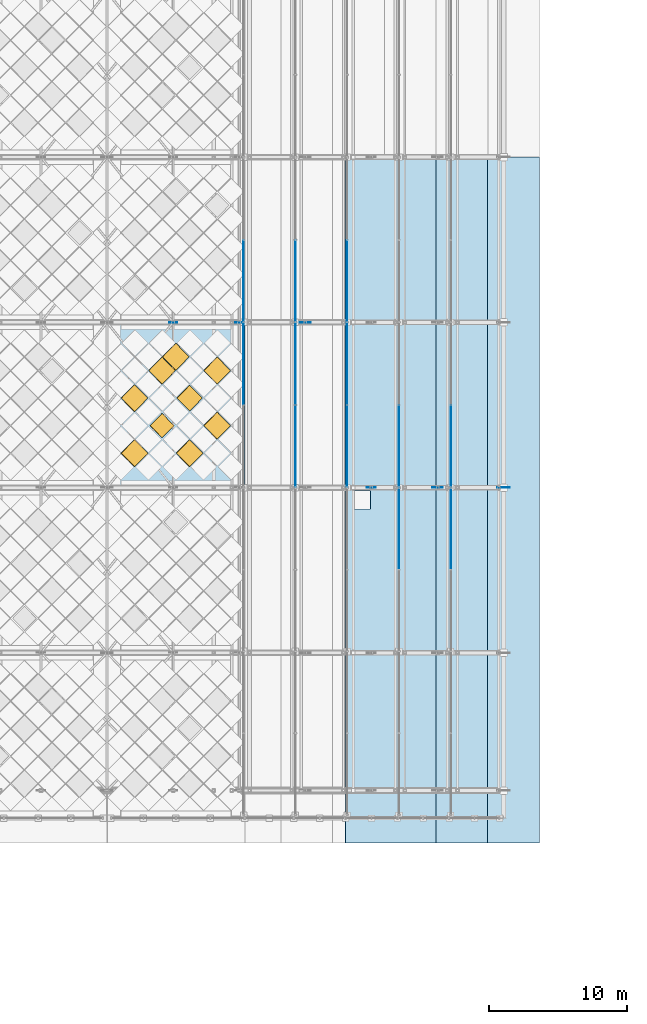
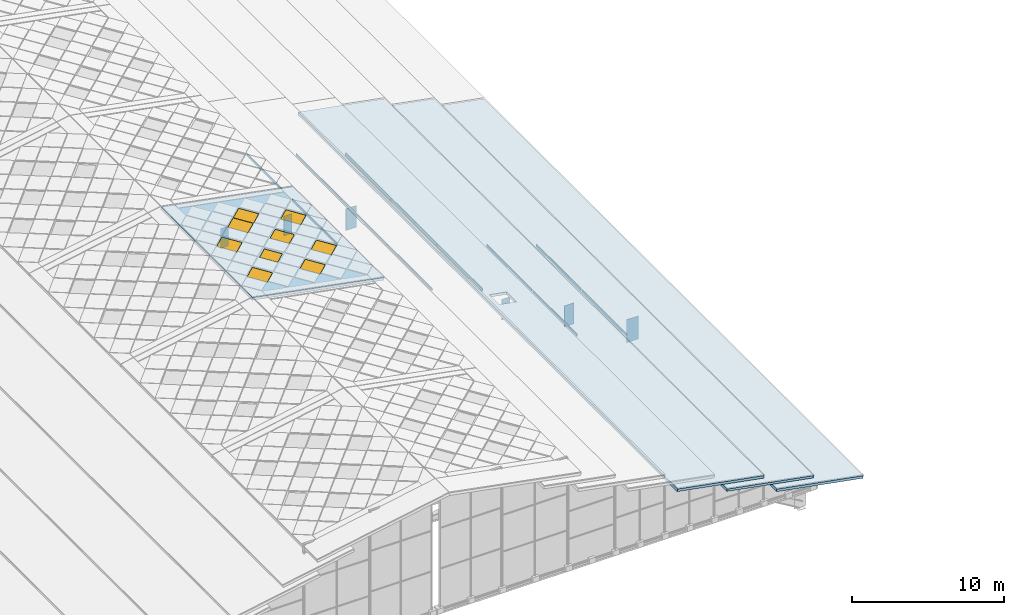
# One storey, part 91 of 117: 18 plates, 9 windows, 4 slabs, 9 openings, 7 elements without a shape of their own.
"""IFC4 building model written with IfcOpenShell, lengths in metres."""

from ifc_helpers import new_model, si_unit, direction, frame, origin, origin_2d, place, context, subcontext, project, spatial, polyline, rectangle, outline, extrude, material, layer, layer_set, type_object, element, fill, aggregate, save


model = new_model("IFC4")

# Units and contexts
model_context = context("Model", 3, precision=1e-05, world=origin(), true_north=direction((0.0, 1.0)))
body_context = subcontext(model_context, "Body", "Model", "MODEL_VIEW")
ifc_project = project(units=[si_unit("LENGTHUNIT", "METRE"), si_unit("AREAUNIT", "SQUARE_METRE"), si_unit("VOLUMEUNIT", "CUBIC_METRE"), si_unit("PLANEANGLEUNIT", "RADIAN"), si_unit("MASSUNIT", "GRAM", prefix="KILO")], contexts=[model_context])

# Site, building, storey
site_placement = place(None, origin())
site = spatial("IfcSite", under=ifc_project, at=site_placement, CompositionType="ELEMENT")
building_placement = place(site_placement, origin())
building = spatial("IfcBuilding", under=site, at=building_placement, Name="Merenkruunu Market Hall", CompositionType="ELEMENT")
storey_placement = place(building_placement, frame((0.0, 0.0, 22.800048828125)))
storey = spatial("IfcBuildingStorey", under=building, at=storey_placement, Name="RF", CompositionType="ELEMENT", Elevation=22.800048828125)

# Curtain wall, plate
ifc_material_1 = material(Name="Powder-coated aluminium", Category="aluminium")
curtain_wall_type = type_object("IfcCurtainWallType", Name="Clerestory Curtain Band CL05", PredefinedType="USERDEFINED", material=ifc_material_1)
curtain_wall_1_placement = place(storey_placement, origin())
curtain_wall_1 = element("IfcCurtainWall", 1, at=curtain_wall_1_placement, inside=storey, type_object=curtain_wall_type, Name="CW-RF-CWM04-082", ObjectType="CLERESTORY_BAND", PredefinedType="USERDEFINED")
ifc_material_2 = material(Name="Triple low-E insulated glass", Category="glass")
ifc_layer_1 = layer(ifc_material_2, 0.035888671875)
ifc_layer_set_1 = layer_set([ifc_layer_1], Name="Triple low-E insulated glass")
plate_type_1 = type_object("IfcPlateType", Name="Curtain Wall Glazing Panel CWP08", PredefinedType="CURTAIN_PANEL", material=ifc_layer_set_1)
plate_1_placement = place(storey_placement, frame((53.760009765625, 36.607421875, -6.462158203125), z_axis=(0.0, 0.0, 1.0), x_axis=(0.0, -1.0, 0.0)))
plate_1 = element("IfcPlate", 2, at=plate_1_placement, type_object=plate_type_1, Name="CL05 panel 1.1", PredefinedType="CURTAIN_PANEL", context=body_context, shape_type="SweptSolid", body=[
    extrude(rectangle(XDim=5.844970703125, YDim=0.035888671875, at=origin_2d()), origin(), (0.0, 0.0, 1.0), 0.22802734375),
])
aggregate(curtain_wall_1, [plate_1])

curtain_wall_2_placement = place(storey_placement, origin())
curtain_wall_2 = element("IfcCurtainWall", 3, at=curtain_wall_2_placement, inside=storey, type_object=curtain_wall_type, Name="CW-RF-CWM04-084", ObjectType="CLERESTORY_BAND", PredefinedType="USERDEFINED")
plate_2_placement = place(storey_placement, frame((53.760009765625, 42.617431640625, -6.462158203125), z_axis=(0.0, 0.0, 1.0), x_axis=(0.0, -1.0, 0.0)))
plate_2 = element("IfcPlate", 4, at=plate_2_placement, type_object=plate_type_1, Name="CL05 panel 4.1", PredefinedType="CURTAIN_PANEL", context=body_context, shape_type="SweptSolid", body=[
    extrude(rectangle(XDim=5.89501953125, YDim=0.035888671875, at=origin_2d()), origin(), (0.0, 0.0, 1.0), 0.22802734375),
])
aggregate(curtain_wall_2, [plate_2])

curtain_wall_3_placement = place(storey_placement, origin())
curtain_wall_3 = element("IfcCurtainWall", 5, at=curtain_wall_3_placement, inside=storey, type_object=curtain_wall_type, Name="CW-RF-CWM04-090", ObjectType="CLERESTORY_BAND", PredefinedType="USERDEFINED")
plate_3_placement = place(storey_placement, frame((50.0, 36.607421875, -5.14208984375), z_axis=(0.0, 0.0, 1.0), x_axis=(0.0, -1.0, 0.0)))
plate_3 = element("IfcPlate", 6, at=plate_3_placement, type_object=plate_type_1, Name="CL05 panel 1.1", PredefinedType="CURTAIN_PANEL", context=body_context, shape_type="SweptSolid", body=[
    extrude(rectangle(XDim=5.844970703125, YDim=0.035888671875, at=origin_2d()), origin(), (0.0, 0.0, 1.0), 0.20703125),
])
aggregate(curtain_wall_3, [plate_3])

curtain_wall_4_placement = place(storey_placement, origin())
curtain_wall_4 = element("IfcCurtainWall", 7, at=curtain_wall_4_placement, inside=storey, type_object=curtain_wall_type, Name="CW-RF-CWM04-092", ObjectType="CLERESTORY_BAND", PredefinedType="USERDEFINED")
plate_4_placement = place(storey_placement, frame((50.0, 42.617431640625, -5.14208984375), z_axis=(0.0, 0.0, 1.0), x_axis=(0.0, -1.0, 0.0)))
plate_4 = element("IfcPlate", 8, at=plate_4_placement, type_object=plate_type_1, Name="CL05 panel 4.1", PredefinedType="CURTAIN_PANEL", context=body_context, shape_type="SweptSolid", body=[
    extrude(rectangle(XDim=5.89501953125, YDim=0.035888671875, at=origin_2d()), origin(), (0.0, 0.0, 1.0), 0.20703125),
])
aggregate(curtain_wall_4, [plate_4])

# Curtain wall, plates
curtain_wall_5_placement = place(storey_placement, origin())
curtain_wall_5 = element("IfcCurtainWall", 9, at=curtain_wall_5_placement, inside=storey, type_object=curtain_wall_type, Name="CW-RF-CWM04-100", ObjectType="CLERESTORY_BAND", PredefinedType="USERDEFINED")
plate_5_placement = place(storey_placement, frame((46.239990234375, 54.60009765625, -3.822021484375), z_axis=(0.0, 0.0, 1.0), x_axis=(0.0, -1.0, 0.0)))
plate_5 = element("IfcPlate", 10, at=plate_5_placement, type_object=plate_type_1, Name="CL05 panel 2.1", PredefinedType="CURTAIN_PANEL", context=body_context, shape_type="SweptSolid", body=[
    extrude(rectangle(XDim=5.929931640625, YDim=0.035888671875, at=origin_2d()), origin(), (0.0, 0.0, 1.0), 0.22802734375),
])
plate_6_placement = place(storey_placement, frame((46.239990234375, 48.60009765625, -3.822021484375), z_axis=(0.0, 0.0, 1.0), x_axis=(0.0, -1.0, 0.0)))
plate_6 = element("IfcPlate", 11, at=plate_6_placement, type_object=plate_type_1, Name="CL05 panel 3.1", PredefinedType="CURTAIN_PANEL", context=body_context, shape_type="SweptSolid", body=[
    extrude(rectangle(XDim=5.929931640625, YDim=0.035888671875, at=origin_2d()), origin(), (0.0, 0.0, 1.0), 0.22802734375),
])
plate_7_placement = place(storey_placement, frame((46.239990234375, 42.617431640625, -3.822021484375), z_axis=(0.0, 0.0, 1.0), x_axis=(0.0, -1.0, 0.0)))
plate_7 = element("IfcPlate", 12, at=plate_7_placement, type_object=plate_type_1, Name="CL05 panel 4.1", PredefinedType="CURTAIN_PANEL", context=body_context, shape_type="SweptSolid", body=[
    extrude(rectangle(XDim=5.89501953125, YDim=0.035888671875, at=origin_2d()), origin(), (0.0, 0.0, 1.0), 0.22802734375),
])
aggregate(curtain_wall_5, [plate_5, plate_6, plate_7])

curtain_wall_6_placement = place(storey_placement, origin())
curtain_wall_6 = element("IfcCurtainWall", 13, at=curtain_wall_6_placement, inside=storey, type_object=curtain_wall_type, Name="CW-RF-CWM04-108", ObjectType="CLERESTORY_BAND", PredefinedType="USERDEFINED")
plate_8_placement = place(storey_placement, frame((42.47998046875, 54.60009765625, -2.501953125), z_axis=(0.0, 0.0, 1.0), x_axis=(0.0, -1.0, 0.0)))
plate_8 = element("IfcPlate", 14, at=plate_8_placement, type_object=plate_type_1, Name="CL05 panel 2.1", PredefinedType="CURTAIN_PANEL", context=body_context, shape_type="SweptSolid", body=[
    extrude(rectangle(XDim=5.929931640625, YDim=0.035888671875, at=origin_2d()), origin(), (0.0, 0.0, 1.0), 0.20703125),
])
plate_9_placement = place(storey_placement, frame((42.47998046875, 48.60009765625, -2.501953125), z_axis=(0.0, 0.0, 1.0), x_axis=(0.0, -1.0, 0.0)))
plate_9 = element("IfcPlate", 15, at=plate_9_placement, type_object=plate_type_1, Name="CL05 panel 3.1", PredefinedType="CURTAIN_PANEL", context=body_context, shape_type="SweptSolid", body=[
    extrude(rectangle(XDim=5.929931640625, YDim=0.035888671875, at=origin_2d()), origin(), (0.0, 0.0, 1.0), 0.20703125),
])
plate_10_placement = place(storey_placement, frame((42.47998046875, 42.617431640625, -2.501953125), z_axis=(0.0, 0.0, 1.0), x_axis=(0.0, -1.0, 0.0)))
plate_10 = element("IfcPlate", 16, at=plate_10_placement, type_object=plate_type_1, Name="CL05 panel 4.1", PredefinedType="CURTAIN_PANEL", context=body_context, shape_type="SweptSolid", body=[
    extrude(rectangle(XDim=5.89501953125, YDim=0.035888671875, at=origin_2d()), origin(), (0.0, 0.0, 1.0), 0.20703125),
])
aggregate(curtain_wall_6, [plate_8, plate_9, plate_10])

curtain_wall_7_placement = place(storey_placement, origin())
curtain_wall_7 = element("IfcCurtainWall", 17, at=curtain_wall_7_placement, inside=storey, type_object=curtain_wall_type, Name="CW-RF-CWM04-116", ObjectType="CLERESTORY_BAND", PredefinedType="USERDEFINED")
plate_11_placement = place(storey_placement, frame((38.719970703125, 54.60009765625, -1.18212890625), z_axis=(0.0, 0.0, 1.0), x_axis=(0.0, -1.0, 0.0)))
plate_11 = element("IfcPlate", 18, at=plate_11_placement, type_object=plate_type_1, Name="CL05 panel 2.1", PredefinedType="CURTAIN_PANEL", context=body_context, shape_type="SweptSolid", body=[
    extrude(rectangle(XDim=5.929931640625, YDim=0.035888671875, at=origin_2d()), origin(), (0.0, 0.0, 1.0), 0.22802734375),
])
plate_12_placement = place(storey_placement, frame((38.719970703125, 48.60009765625, -1.18212890625), z_axis=(0.0, 0.0, 1.0), x_axis=(0.0, -1.0, 0.0)))
plate_12 = element("IfcPlate", 19, at=plate_12_placement, type_object=plate_type_1, Name="CL05 panel 3.1", PredefinedType="CURTAIN_PANEL", context=body_context, shape_type="SweptSolid", body=[
    extrude(rectangle(XDim=5.929931640625, YDim=0.035888671875, at=origin_2d()), origin(), (0.0, 0.0, 1.0), 0.22802734375),
])
aggregate(curtain_wall_7, [plate_11, plate_12])

# Slabs
ifc_material_3 = material(Name="High-albedo white roof Steel S355ML", Category="steel")
ifc_layer_2 = layer(ifc_material_3, 0.199951171875)
ifc_layer_set_2 = layer_set([ifc_layer_2], Name="High-albedo white roof Steel S355ML")
slab_type_1 = type_object("IfcSlabType", Name="Sloped Or Flat Roof Deck RS01", PredefinedType="ROOF", material=ifc_layer_set_2)
slab_1_placement = place(storey_placement, frame((53.639892578125, 13.800048828125, -6.584228515625), z_axis=(0.182233397966, 0.0, 0.983255301875), x_axis=(0.983255301875, 0.0, -0.182233397966)))
element("IfcSlab", 20, at=slab_1_placement, inside=storey, type_object=slab_type_1, Name="SL-ROOF-V1-TE1-S", PredefinedType="ROOF", context=body_context, shape_type="SweptSolid", body=[
    extrude(outline(polyline([(0.0, 0.0), (6.671775459779865, 0.0), (6.671775459779865, 49.800048828125), (0.0, 49.800048828125), (0.0, 0.0)]), holes=[polyline([(0.5084895791185551, 24.25), (1.830726170836341, 24.25), (1.830726170836341, 25.550048828125), (0.5084895791185551, 25.550048828125), (0.5084895791185551, 24.25)])]), origin(), (0.0, 0.0, -1.0), 0.199951171875),
])
slab_2_placement = place(storey_placement, frame((46.1201171875, 13.800048828125, -3.9443359375), z_axis=(0.182239955012, 0.0, 0.983254086591), x_axis=(0.983254086591, 0.0, -0.182239955012)))
element("IfcSlab", 21, at=slab_2_placement, inside=storey, type_object=slab_type_1, Name="SL-ROOF-V1-TE3-S", PredefinedType="ROOF", context=body_context, shape_type="SweptSolid", body=[
    extrude(outline(polyline([(0.0, 0.0), (6.671535407364279, 0.0), (6.671535407364279, 49.800048828125), (0.0, 49.800048828125), (0.0, 0.0)]), holes=[polyline([(0.5084895781951198, 24.25), (1.8304416271710706, 24.25), (1.8304416271710706, 25.550048828125), (0.5084895781951198, 25.550048828125), (0.5084895781951198, 24.25)])]), origin(), (0.0, 0.0, -1.0), 0.199951171875),
])

# Slab, openings, windows
slab_3_placement = place(storey_placement, frame((28.800048828125, 39.60009765625, 1.800048828125), z_axis=(0.184775267092, 0.0, 0.98278079991), x_axis=(0.98278079991, 0.0, -0.184775267092)))
slab_3 = element("IfcSlab", 22, at=slab_3_placement, inside=storey, type_object=slab_type_1, Name="SL-ROOF-V1-CROWN-E-03", PredefinedType="ROOF", context=body_context, shape_type="SweptSolid", body=[
    extrude(outline(polyline([(0.0, 0.0), (10.175208959027184, 0.0), (10.175208959027184, 12.0), (0.0, 12.0), (0.0, 0.0)])), origin(), (0.0, 0.0, -1.0), 0.199951171875),
])
opening_1_placement = place(slab_3_placement, frame((2.034912109375, 2.5, 0.0), z_axis=(0.0, 0.0, 1.0), x_axis=(0.707106781187, 0.707106781187, 0.0)))
opening_1 = element("IfcOpeningElement", 23, at=opening_1_placement, cuts=slab_3, Name="Opening SK01", PredefinedType="OPENING", context=body_context, shape_type="SweptSolid", body=[
    extrude(rectangle(XDim=1.3798828125, YDim=1.3798828125, at=origin_2d()), frame((0.0, 0.0, 0.014892578125), z_axis=(0.0, 0.0, -1.0), x_axis=(1.0, 0.0, 0.0)), (0.0, 0.0, 1.0), 0.229736328125),
])
opening_2_placement = place(slab_3_placement, frame((2.034912109375, 6.5, 0.0), z_axis=(0.0, 0.0, 1.0), x_axis=(0.707106781187, 0.707106781187, 0.0)))
opening_2 = element("IfcOpeningElement", 24, at=opening_2_placement, cuts=slab_3, Name="Opening SK01", PredefinedType="OPENING", context=body_context, shape_type="SweptSolid", body=[
    extrude(rectangle(XDim=1.3798828125, YDim=1.3798828125, at=origin_2d()), frame((0.0, 0.0, 0.014892578125), z_axis=(0.0, 0.0, -1.0), x_axis=(1.0, 0.0, 0.0)), (0.0, 0.0, 1.0), 0.229736328125),
])
opening_3_placement = place(slab_3_placement, frame((4.070068359375, 4.5, -0.000244140625), z_axis=(0.0, 0.0, 1.0), x_axis=(0.707106781187, 0.707106781187, 0.0)))
opening_3 = element("IfcOpeningElement", 25, at=opening_3_placement, cuts=slab_3, Name="Opening SK03", PredefinedType="OPENING", context=body_context, shape_type="SweptSolid", body=[
    extrude(rectangle(XDim=1.239990234375, YDim=1.239990234375, at=origin_2d()), frame((0.0, 0.0, 0.014892578125), z_axis=(0.0, 0.0, -1.0), x_axis=(1.0, 0.0, 0.0)), (0.0, 0.0, 1.0), 0.229736328125),
])
opening_4_placement = place(slab_3_placement, frame((4.070068359375, 8.5, -0.000244140625), z_axis=(0.0, 0.0, 1.0), x_axis=(0.707106781187, 0.707106781187, 0.0)))
opening_4 = element("IfcOpeningElement", 26, at=opening_4_placement, cuts=slab_3, Name="Opening SK01", PredefinedType="OPENING", context=body_context, shape_type="SweptSolid", body=[
    extrude(rectangle(XDim=1.3798828125, YDim=1.3798828125, at=origin_2d()), frame((0.0, 0.0, 0.014892578125), z_axis=(0.0, 0.0, -1.0), x_axis=(1.0, 0.0, 0.0)), (0.0, 0.0, 1.0), 0.229736328125),
])
opening_5_placement = place(slab_3_placement, frame((5.087646484375, 9.5, 0.0), z_axis=(0.0, 0.0, 1.0), x_axis=(0.707106781187, 0.707106781187, 0.0)))
opening_5 = element("IfcOpeningElement", 27, at=opening_5_placement, cuts=slab_3, Name="Opening SK01", PredefinedType="OPENING", context=body_context, shape_type="SweptSolid", body=[
    extrude(rectangle(XDim=1.3798828125, YDim=1.3798828125, at=origin_2d()), frame((0.0, 0.0, 0.014892578125), z_axis=(0.0, 0.0, -1.0), x_axis=(1.0, 0.0, 0.0)), (0.0, 0.0, 1.0), 0.229736328125),
])
opening_6_placement = place(slab_3_placement, frame((6.105224609375, 2.5, 0.0), z_axis=(0.0, 0.0, 1.0), x_axis=(0.707106781187, 0.707106781187, 0.0)))
opening_6 = element("IfcOpeningElement", 28, at=opening_6_placement, cuts=slab_3, Name="Opening SK01", PredefinedType="OPENING", context=body_context, shape_type="SweptSolid", body=[
    extrude(rectangle(XDim=1.3798828125, YDim=1.3798828125, at=origin_2d()), frame((0.0, 0.0, 0.014892578125), z_axis=(0.0, 0.0, -1.0), x_axis=(1.0, 0.0, 0.0)), (0.0, 0.0, 1.0), 0.229736328125),
])
opening_7_placement = place(slab_3_placement, frame((6.105224609375, 6.5, 0.0), z_axis=(0.0, 0.0, 1.0), x_axis=(0.707106781187, 0.707106781187, 0.0)))
opening_7 = element("IfcOpeningElement", 29, at=opening_7_placement, cuts=slab_3, Name="Opening SK02", PredefinedType="OPENING", context=body_context, shape_type="SweptSolid", body=[
    extrude(rectangle(XDim=1.320068359375, YDim=1.320068359375, at=origin_2d()), frame((0.0, 0.0, 0.014892578125), z_axis=(0.0, 0.0, -1.0), x_axis=(1.0, 0.0, 0.0)), (0.0, 0.0, 1.0), 0.229736328125),
])
opening_8_placement = place(slab_3_placement, frame((8.14013671875, 4.5, 0.0), z_axis=(0.0, 0.0, 1.0), x_axis=(0.707106781187, 0.707106781187, 0.0)))
opening_8 = element("IfcOpeningElement", 30, at=opening_8_placement, cuts=slab_3, Name="Opening SK01", PredefinedType="OPENING", context=body_context, shape_type="SweptSolid", body=[
    extrude(rectangle(XDim=1.3798828125, YDim=1.3798828125, at=origin_2d()), frame((0.0, 0.0, 0.014892578125), z_axis=(0.0, 0.0, -1.0), x_axis=(1.0, 0.0, 0.0)), (0.0, 0.0, 1.0), 0.229736328125),
])
opening_9_placement = place(slab_3_placement, frame((8.14013671875, 8.5, 0.0), z_axis=(0.0, 0.0, 1.0), x_axis=(0.707106781187, 0.707106781187, 0.0)))
opening_9 = element("IfcOpeningElement", 31, at=opening_9_placement, cuts=slab_3, Name="Opening SK01", PredefinedType="OPENING", context=body_context, shape_type="SweptSolid", body=[
    extrude(rectangle(XDim=1.3798828125, YDim=1.3798828125, at=origin_2d()), frame((0.0, 0.0, 0.014892578125), z_axis=(0.0, 0.0, -1.0), x_axis=(1.0, 0.0, 0.0)), (0.0, 0.0, 1.0), 0.229736328125),
])
ifc_material_4 = material(Name="Diamond skylight blue triple glass", Category="glass")
ifc_layer_3 = layer(ifc_material_4, 0.094970703125)
ifc_layer_set_3 = layer_set([ifc_layer_3], Name="Diamond skylight blue triple glass")
window_type_1 = type_object("IfcWindowType", Name="Diamond Roof Skylight SK01", PartitioningType="SINGLE_PANEL", PredefinedType="SKYLIGHT", material=ifc_layer_set_3)
window_1_placement = place(opening_1_placement, origin())
window_1 = element("IfcWindow", 32, at=window_1_placement, inside=storey, type_object=window_type_1, Name="SKY-CROWN-046", OverallHeight=1.3798828125, OverallWidth=1.3798828125, PartitioningType="SINGLE_PANEL", PredefinedType="SKYLIGHT", context=body_context, shape_type="SweptSolid", body=[
    extrude(rectangle(XDim=1.3798828125, YDim=1.3798828125, at=origin_2d()), frame((0.0, 0.0, 0.0), z_axis=(0.0, 0.0, -1.0), x_axis=(1.0, 0.0, 0.0)), (0.0, 0.0, 1.0), 0.094970703125),
])
fill(opening_1, window_1)
window_2_placement = place(opening_2_placement, origin())
window_2 = element("IfcWindow", 33, at=window_2_placement, inside=storey, type_object=window_type_1, Name="SKY-CROWN-047", OverallHeight=1.3798828125, OverallWidth=1.3798828125, PartitioningType="SINGLE_PANEL", PredefinedType="SKYLIGHT", context=body_context, shape_type="SweptSolid", body=[
    extrude(rectangle(XDim=1.3798828125, YDim=1.3798828125, at=origin_2d()), frame((0.0, 0.0, 0.0), z_axis=(0.0, 0.0, -1.0), x_axis=(1.0, 0.0, 0.0)), (0.0, 0.0, 1.0), 0.094970703125),
])
fill(opening_2, window_2)
window_3_placement = place(opening_4_placement, origin())
window_3 = element("IfcWindow", 34, at=window_3_placement, inside=storey, type_object=window_type_1, Name="SKY-CROWN-049", OverallHeight=1.3798828125, OverallWidth=1.3798828125, PartitioningType="SINGLE_PANEL", PredefinedType="SKYLIGHT", context=body_context, shape_type="SweptSolid", body=[
    extrude(rectangle(XDim=1.3798828125, YDim=1.3798828125, at=origin_2d()), frame((0.0, 0.0, 0.0), z_axis=(0.0, 0.0, -1.0), x_axis=(1.0, 0.0, 0.0)), (0.0, 0.0, 1.0), 0.094970703125),
])
fill(opening_4, window_3)
window_4_placement = place(opening_5_placement, origin())
window_4 = element("IfcWindow", 35, at=window_4_placement, inside=storey, type_object=window_type_1, Name="SKY-CROWN-050", OverallHeight=1.3798828125, OverallWidth=1.3798828125, PartitioningType="SINGLE_PANEL", PredefinedType="SKYLIGHT", context=body_context, shape_type="SweptSolid", body=[
    extrude(rectangle(XDim=1.3798828125, YDim=1.3798828125, at=origin_2d()), frame((0.0, 0.0, 0.0), z_axis=(0.0, 0.0, -1.0), x_axis=(1.0, 0.0, 0.0)), (0.0, 0.0, 1.0), 0.094970703125),
])
fill(opening_5, window_4)
window_5_placement = place(opening_6_placement, origin())
window_5 = element("IfcWindow", 36, at=window_5_placement, inside=storey, type_object=window_type_1, Name="SKY-CROWN-051", OverallHeight=1.3798828125, OverallWidth=1.3798828125, PartitioningType="SINGLE_PANEL", PredefinedType="SKYLIGHT", context=body_context, shape_type="SweptSolid", body=[
    extrude(rectangle(XDim=1.3798828125, YDim=1.3798828125, at=origin_2d()), frame((0.0, 0.0, 0.0), z_axis=(0.0, 0.0, -1.0), x_axis=(1.0, 0.0, 0.0)), (0.0, 0.0, 1.0), 0.094970703125),
])
fill(opening_6, window_5)
window_6_placement = place(opening_8_placement, origin())
window_6 = element("IfcWindow", 37, at=window_6_placement, inside=storey, type_object=window_type_1, Name="SKY-CROWN-053", OverallHeight=1.3798828125, OverallWidth=1.3798828125, PartitioningType="SINGLE_PANEL", PredefinedType="SKYLIGHT", context=body_context, shape_type="SweptSolid", body=[
    extrude(rectangle(XDim=1.3798828125, YDim=1.3798828125, at=origin_2d()), frame((0.0, 0.0, 0.0), z_axis=(0.0, 0.0, -1.0), x_axis=(1.0, 0.0, 0.0)), (0.0, 0.0, 1.0), 0.094970703125),
])
fill(opening_8, window_6)
window_7_placement = place(opening_9_placement, origin())
window_7 = element("IfcWindow", 38, at=window_7_placement, inside=storey, type_object=window_type_1, Name="SKY-CROWN-054", OverallHeight=1.3798828125, OverallWidth=1.3798828125, PartitioningType="SINGLE_PANEL", PredefinedType="SKYLIGHT", context=body_context, shape_type="SweptSolid", body=[
    extrude(rectangle(XDim=1.3798828125, YDim=1.3798828125, at=origin_2d()), frame((0.0, 0.0, 0.0), z_axis=(0.0, 0.0, -1.0), x_axis=(1.0, 0.0, 0.0)), (0.0, 0.0, 1.0), 0.094970703125),
])
fill(opening_9, window_7)
ifc_layer_4 = layer(ifc_material_4, 0.094970703125)
ifc_layer_set_4 = layer_set([ifc_layer_4], Name="Diamond skylight blue triple glass")
window_type_2 = type_object("IfcWindowType", Name="Diamond Roof Skylight SK02", PartitioningType="SINGLE_PANEL", PredefinedType="SKYLIGHT", material=ifc_layer_set_4)
window_8_placement = place(opening_7_placement, origin())
window_8 = element("IfcWindow", 39, at=window_8_placement, inside=storey, type_object=window_type_2, Name="SKY-CROWN-052", OverallHeight=1.320068359375, OverallWidth=1.320068359375, PartitioningType="SINGLE_PANEL", PredefinedType="SKYLIGHT", context=body_context, shape_type="SweptSolid", body=[
    extrude(rectangle(XDim=1.320068359375, YDim=1.320068359375, at=origin_2d()), frame((0.0, 0.0, 0.0), z_axis=(0.0, 0.0, -1.0), x_axis=(1.0, 0.0, 0.0)), (0.0, 0.0, 1.0), 0.094970703125),
])
fill(opening_7, window_8)
ifc_layer_5 = layer(ifc_material_4, 0.094970703125)
ifc_layer_set_5 = layer_set([ifc_layer_5], Name="Diamond skylight blue triple glass")
window_type_3 = type_object("IfcWindowType", Name="Roof Smoke Vent Skylight SK03", PartitioningType="SINGLE_PANEL", PredefinedType="SKYLIGHT", material=ifc_layer_set_5)
window_9_placement = place(opening_3_placement, origin())
window_9 = element("IfcWindow", 40, at=window_9_placement, inside=storey, type_object=window_type_3, Name="SKY-CROWN-048", OverallHeight=1.239990234375, OverallWidth=1.239990234375, PartitioningType="SINGLE_PANEL", PredefinedType="SKYLIGHT", context=body_context, shape_type="SweptSolid", body=[
    extrude(rectangle(XDim=1.239990234375, YDim=1.239990234375, at=origin_2d()), frame((0.0, 0.0, 0.0), z_axis=(0.0, 0.0, -1.0), x_axis=(1.0, 0.0, 0.0)), (0.0, 0.0, 1.0), 0.094970703125),
])
fill(opening_3, window_9)

# Slab
ifc_layer_6 = layer(ifc_material_3, 0.179931640625)
ifc_layer_set_6 = layer_set([ifc_layer_6], Name="High-albedo white roof Steel S355ML")
slab_type_2 = type_object("IfcSlabType", Name="Sloped Or Flat Roof Deck RS02", PredefinedType="ROOF", material=ifc_layer_set_6)
slab_4_placement = place(storey_placement, frame((49.8798828125, 13.800048828125, -5.26416015625), z_axis=(0.182233397966, 0.0, 0.983255301875), x_axis=(0.983255301875, 0.0, -0.182233397966)))
element("IfcSlab", 41, at=slab_4_placement, inside=storey, type_object=slab_type_2, Name="SL-ROOF-V1-TE2-S", PredefinedType="ROOF", context=body_context, shape_type="SweptSolid", body=[
    extrude(outline(polyline([(0.0, 0.0), (6.671775459779865, 0.0), (6.671775459779865, 49.800048828125), (0.0, 49.800048828125), (0.0, 0.0)]), holes=[polyline([(0.5085340696942303, 24.25), (1.830726170836341, 24.25), (1.830726170836341, 25.550048828125), (0.5085340696942303, 25.550048828125), (0.5085340696942303, 24.25)])]), origin(), (0.0, 0.0, -1.0), 0.179931640625),
])

# Plates
ifc_material_5 = material(Name="Steel S355ML", Category="steel")
ifc_layer_7 = layer(ifc_material_5, 0.030029296875)
ifc_layer_set_7 = layer_set([ifc_layer_7], Name="Steel S355ML")
plate_type_2 = type_object("IfcPlateType", Name="Truss Gusset Or Cap Plate TN01", PredefinedType="USERDEFINED", material=ifc_layer_set_7)
plate_13_placement = place(storey_placement, frame((57.60009765625, 39.60009765625, -11.72509765625), z_axis=(0.0, 0.0, 1.0), x_axis=(1.0, 0.0, 0.0)))
element("IfcPlate", 42, at=plate_13_placement, inside=storey, type_object=plate_type_2, Name="PLT-AT-3-NODE-12", ObjectType="GUSSET_PLATE", PredefinedType="USERDEFINED", context=body_context, shape_type="SweptSolid", body=[
    extrude(rectangle(XDim=0.89990234375, YDim=0.030029296875, at=origin_2d()), origin(), (0.0, 0.0, 1.0), 1.85009765625),
])
ifc_layer_8 = layer(ifc_material_5, 0.02490234375)
ifc_layer_set_8 = layer_set([ifc_layer_8], Name="Steel S355ML")
plate_type_3 = type_object("IfcPlateType", Name="Truss Gusset Or Cap Plate TN02", PredefinedType="USERDEFINED", material=ifc_layer_set_8)
plate_14_placement = place(storey_placement, frame((52.800048828125, 39.60009765625, -8.81591796875), z_axis=(0.0, 0.0, 1.0), x_axis=(1.0, 0.0, 0.0)))
element("IfcPlate", 43, at=plate_14_placement, inside=storey, type_object=plate_type_3, Name="PLT-AT-3-NODE-11", ObjectType="GUSSET_PLATE", PredefinedType="USERDEFINED", context=body_context, shape_type="SweptSolid", body=[
    extrude(rectangle(XDim=0.75, YDim=0.02490234375, at=origin_2d()), origin(), (0.0, 0.0, 1.0), 1.699951171875),
])
ifc_layer_9 = layer(ifc_material_5, 0.02490234375)
ifc_layer_set_9 = layer_set([ifc_layer_9], Name="Steel S355ML")
plate_type_4 = type_object("IfcPlateType", Name="Truss Gusset Or Cap Plate TN03", PredefinedType="USERDEFINED", material=ifc_layer_set_9)
plate_15_placement = place(storey_placement, frame((48.0, 39.60009765625, -6.595947265625), z_axis=(0.0, 0.0, 1.0), x_axis=(1.0, 0.0, 0.0)))
element("IfcPlate", 44, at=plate_15_placement, inside=storey, type_object=plate_type_4, Name="PLT-AT-3-NODE-10", ObjectType="GUSSET_PLATE", PredefinedType="USERDEFINED", context=body_context, shape_type="SweptSolid", body=[
    extrude(rectangle(XDim=0.64990234375, YDim=0.02490234375, at=origin_2d()), origin(), (0.0, 0.0, 1.0), 1.64990234375),
])
ifc_layer_10 = layer(ifc_material_5, 0.028076171875)
ifc_layer_set_10 = layer_set([ifc_layer_10], Name="Steel S355ML")
plate_type_5 = type_object("IfcPlateType", Name="Truss Gusset Or Cap Plate TN04", PredefinedType="USERDEFINED", material=ifc_layer_set_10)
plate_16_placement = place(storey_placement, frame((43.199951171875, 51.60009765625, -5.005126953125), z_axis=(0.0, 0.0, 1.0), x_axis=(1.0, 0.0, 0.0)))
element("IfcPlate", 45, at=plate_16_placement, inside=storey, type_object=plate_type_5, Name="PLT-AT-4-NODE-09", ObjectType="GUSSET_PLATE", PredefinedType="USERDEFINED", context=body_context, shape_type="SweptSolid", body=[
    extrude(rectangle(XDim=0.800048828125, YDim=0.028076171875, at=origin_2d()), origin(), (0.0, 0.0, 1.0), 1.75),
])
ifc_layer_11 = layer(ifc_material_5, 0.02197265625)
ifc_layer_set_11 = layer_set([ifc_layer_11], Name="Steel S355ML")
plate_type_6 = type_object("IfcPlateType", Name="Truss Gusset Or Cap Plate TN05", PredefinedType="USERDEFINED", material=ifc_layer_set_11)
for number, where, z_axis, x_axis, name in (
    (46, (33.60009765625, 51.60009765625, -3.1181640625), (0.0, 0.0, 1.0), (1.0, 0.0, 0.0), "PLT-AT-4-NODE-07"),
    (47, (38.39990234375, 51.60009765625, -3.7900390625), (0.0, 0.0, 1.0), (1.0, 0.0, 0.0), "PLT-AT-4-NODE-08"),
):
    element("IfcPlate", number, at=place(storey_placement, frame(where, z_axis=z_axis, x_axis=x_axis)), inside=storey, type_object=plate_type_6, Name=name, ObjectType="GUSSET_PLATE", PredefinedType="USERDEFINED", context=body_context, shape_type="SweptSolid", body=[
        extrude(rectangle(XDim=0.60009765625, YDim=0.02197265625, at=origin_2d()), origin(), (0.0, 0.0, 1.0), 1.60009765625),
    ])

save(model, "model.ifc")
